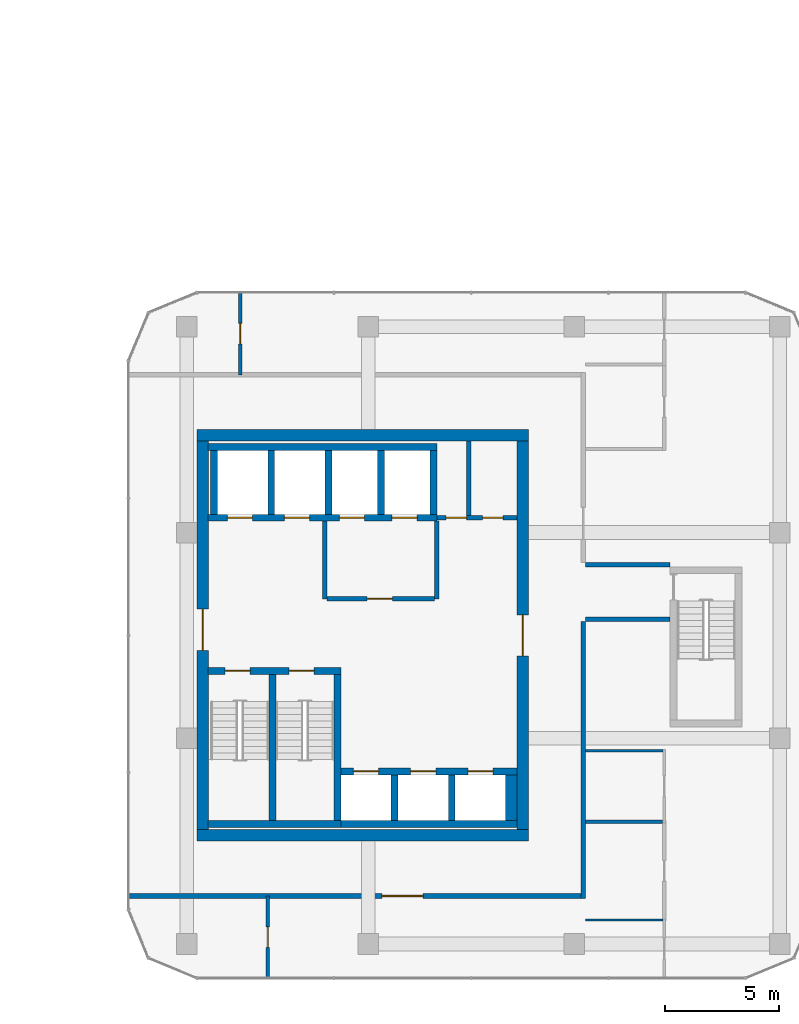
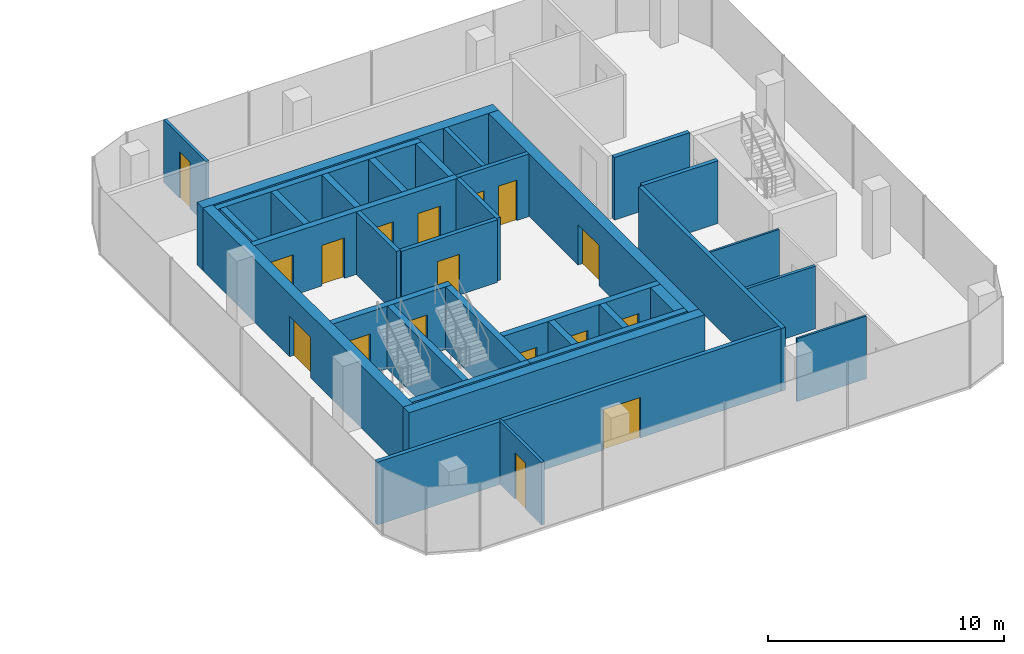
# One storey, part 18 of 23: 34 walls, 17 doors, 17 openings.
"""IFC4 building model written with IfcOpenShell, lengths in metres."""

from ifc_helpers import new_model, si_unit, direction, frame, frame_2d, origin, place, context, subcontext, project, spatial, rectangle, extrude, material, layer, layer_set, type_object, element, fill, save


model = new_model("IFC4")

# Units and contexts
model_context = context("Model", 3, precision=1e-05, world=origin(), true_north=direction((0.0, 1.0)))
body_context = subcontext(model_context, "Body", "Model", "MODEL_VIEW")
ifc_project = project(units=[si_unit("LENGTHUNIT", "METRE"), si_unit("AREAUNIT", "SQUARE_METRE"), si_unit("VOLUMEUNIT", "CUBIC_METRE"), si_unit("PLANEANGLEUNIT", "RADIAN"), si_unit("MASSUNIT", "GRAM", prefix="KILO")], contexts=[model_context])

# Site, building, storey
site_placement = place(None, origin())
site = spatial("IfcSite", under=ifc_project, at=site_placement, CompositionType="ELEMENT")
building_placement = place(site_placement, origin())
building = spatial("IfcBuilding", under=site, at=building_placement, Name="Plateau Cross Towers", CompositionType="ELEMENT")
storey_placement = place(building_placement, frame((0.0, 0.0, 40.800048828125)))
storey = spatial("IfcBuildingStorey", under=building, at=storey_placement, Name="L09", CompositionType="ELEMENT", Elevation=40.800048828125)

# Wall
ifc_material_1 = material(Name="Concrete block, plastered both sides", Category="concrete")
ifc_layer_1 = layer(ifc_material_1, 0.199951171875)
ifc_layer_set_1 = layer_set([ifc_layer_1], Name="Concrete block, plastered both sides")
wall_type_1 = type_object("IfcWallType", Name="Core partition 200", PredefinedType="PARTITIONING", material=ifc_layer_set_1)
wall_1_placement = place(storey_placement, frame((80.60009765625, 10.60009765625, 0.0), z_axis=(0.0, 0.0, 1.0), x_axis=(0.0, 1.0, 0.0)))
element("IfcWall", 1, at=wall_1_placement, inside=storey, type_object=wall_type_1, Name="Core partition", PredefinedType="PARTITIONING", context=body_context, shape_type="SweptSolid", body=[
    extrude(rectangle(XDim=3.39990234375, YDim=0.199951171875, at=frame_2d((1.699951171875, 0.0))), origin(), (0.0, 0.0, 1.0), 3.25),
])

# Wall, opening, door
wall_2_placement = place(storey_placement, frame((80.699951171875, 10.60009765625, 0.0), z_axis=(0.0, 0.0, 1.0), x_axis=(1.0, 0.0, 0.0)))
wall_2 = element("IfcWall", 2, at=wall_2_placement, inside=storey, type_object=wall_type_1, Name="Core partition", PredefinedType="PARTITIONING", context=body_context, shape_type="SweptSolid", body=[
    extrude(rectangle(XDim=4.699951171875, YDim=0.199951171875, at=frame_2d((2.35009765625, 0.0))), origin(), (0.0, 0.0, 1.0), 3.25),
])
opening_1_placement = place(wall_2_placement, frame((1.75, 0.0, 0.0)))
opening_1 = element("IfcOpeningElement", 3, at=opening_1_placement, cuts=wall_2, Name="Opening FFD", PredefinedType="OPENING", context=body_context, shape_type="SweptSolid", body=[
    extrude(rectangle(XDim=1.10009765625, YDim=2.10009765625, at=frame_2d((0.550048828125, 1.050048828125))), frame((0.0, 0.10986328125, 0.0), z_axis=(0.0, -1.0, 0.0), x_axis=(1.0, 0.0, 0.0)), (0.0, 0.0, 1.0), 0.219970703125),
])
ifc_material_2 = material(Name="Steel, fire-resisting leaf", Category="steel")
door_type_1 = type_object("IfcDoorType", Name="Firefighting lobby door 1100", OperationType="NOTDEFINED", PredefinedType="DOOR", material=ifc_material_2)
door_1_placement = place(opening_1_placement, origin())
door_1 = element("IfcDoor", 4, at=door_1_placement, inside=storey, type_object=door_type_1, Name="Firefighting lobby door FFD", OperationType="SINGLE_SWING_LEFT", OverallHeight=2.10009765625, OverallWidth=1.10009765625, PredefinedType="DOOR", context=body_context, shape_type="SweptSolid", body=[
    extrude(rectangle(XDim=1.10009765625, YDim=2.10009765625, at=frame_2d((0.550048828125, 1.050048828125))), frame((0.0, 0.02490234375, 0.0), z_axis=(0.0, -1.0, 0.0), x_axis=(1.0, 0.0, 0.0)), (0.0, 0.0, 1.0), 0.050048828125),
])
fill(opening_1, door_1)

# Wall
wall_3_placement = place(storey_placement, frame((85.5, 10.60009765625, 0.0), z_axis=(0.0, 0.0, 1.0), x_axis=(0.0, 1.0, 0.0)))
element("IfcWall", 5, at=wall_3_placement, inside=storey, type_object=wall_type_1, Name="Core partition", PredefinedType="PARTITIONING", context=body_context, shape_type="SweptSolid", body=[
    extrude(rectangle(XDim=3.39990234375, YDim=0.199951171875, at=frame_2d((1.699951171875, 0.0))), origin(), (0.0, 0.0, 1.0), 3.25),
])

# Wall, openings, doors
wall_4_placement = place(storey_placement, frame((85.5, 14.14990234375, 0.0), z_axis=(0.0, 0.0, 1.0), x_axis=(1.0, 0.0, 0.0)))
wall_4 = element("IfcWall", 6, at=wall_4_placement, inside=storey, type_object=wall_type_1, Name="Core partition", PredefinedType="PARTITIONING", context=body_context, shape_type="SweptSolid", body=[
    extrude(rectangle(XDim=3.5, YDim=0.199951171875, at=frame_2d((1.75, 0.0))), origin(), (0.0, 0.0, 1.0), 3.25),
])
opening_2_placement = place(wall_4_placement, frame((0.39990234375, 0.0, 0.0)))
opening_2 = element("IfcOpeningElement", 7, at=opening_2_placement, cuts=wall_4, Name="Opening RD2", PredefinedType="OPENING", context=body_context, shape_type="SweptSolid", body=[
    extrude(rectangle(XDim=0.89990234375, YDim=2.10009765625, at=frame_2d((0.449951171875, 1.050048828125))), frame((0.0, 0.10986328125, 0.0), z_axis=(0.0, -1.0, 0.0), x_axis=(1.0, 0.0, 0.0)), (0.0, 0.0, 1.0), 0.219970703125),
])
opening_3_placement = place(wall_4_placement, frame((2.0, 0.0, 0.0)))
opening_3 = element("IfcOpeningElement", 8, at=opening_3_placement, cuts=wall_4, Name="Opening RD2", PredefinedType="OPENING", context=body_context, shape_type="SweptSolid", body=[
    extrude(rectangle(XDim=0.89990234375, YDim=2.10009765625, at=frame_2d((0.449951171875, 1.050048828125))), frame((0.0, 0.10986328125, 0.0), z_axis=(0.0, -1.0, 0.0), x_axis=(1.0, 0.0, 0.0)), (0.0, 0.0, 1.0), 0.219970703125),
])
door_type_2 = type_object("IfcDoorType", Name="Core riser door 900", OperationType="NOTDEFINED", PredefinedType="DOOR", material=ifc_material_2)
door_2_placement = place(opening_2_placement, origin())
door_2 = element("IfcDoor", 9, at=door_2_placement, inside=storey, type_object=door_type_2, Name="Core riser door RD2", OperationType="SINGLE_SWING_LEFT", OverallHeight=2.10009765625, OverallWidth=0.89990234375, PredefinedType="DOOR", context=body_context, shape_type="SweptSolid", body=[
    extrude(rectangle(XDim=0.89990234375, YDim=2.10009765625, at=frame_2d((0.449951171875, 1.050048828125))), frame((0.0, 0.02490234375, 0.0), z_axis=(0.0, -1.0, 0.0), x_axis=(1.0, 0.0, 0.0)), (0.0, 0.0, 1.0), 0.050048828125),
])
fill(opening_2, door_2)
door_3_placement = place(opening_3_placement, origin())
door_3 = element("IfcDoor", 10, at=door_3_placement, inside=storey, type_object=door_type_2, Name="Core riser door RD2", OperationType="SINGLE_SWING_LEFT", OverallHeight=2.10009765625, OverallWidth=0.89990234375, PredefinedType="DOOR", context=body_context, shape_type="SweptSolid", body=[
    extrude(rectangle(XDim=0.89990234375, YDim=2.10009765625, at=frame_2d((0.449951171875, 1.050048828125))), frame((0.0, 0.02490234375, 0.0), z_axis=(0.0, -1.0, 0.0), x_axis=(1.0, 0.0, 0.0)), (0.0, 0.0, 1.0), 0.050048828125),
])
fill(opening_3, door_3)

# Walls
wall_5_placement = place(storey_placement, frame((86.89990234375, 14.25, 0.0), z_axis=(0.0, 0.0, 1.0), x_axis=(0.0, 1.0, 0.0)))
element("IfcWall", 11, at=wall_5_placement, inside=storey, type_object=wall_type_1, Name="Core partition", PredefinedType="PARTITIONING", context=body_context, shape_type="SweptSolid", body=[
    extrude(rectangle(XDim=3.25, YDim=0.199951171875, at=frame_2d((1.625, 0.0))), origin(), (0.0, 0.0, 1.0), 3.25),
])
ifc_material_3 = material(Name="Concrete C60/75", Category="concrete")
ifc_layer_2 = layer(ifc_material_3, 0.300048828125)
ifc_layer_set_2 = layer_set([ifc_layer_2], Name="Concrete C60/75")
wall_type_2 = type_object("IfcWallType", Name="Core shaft wall 300", PredefinedType="SHEAR", material=ifc_layer_set_2)
wall_6_placement = place(storey_placement, frame((75.47998046875, 0.75, 0.0), z_axis=(0.0, 0.0, 1.0), x_axis=(1.0, 0.0, 0.0)))
element("IfcWall", 12, at=wall_6_placement, inside=storey, type_object=wall_type_2, Name="B-sb-stS@L09", PredefinedType="SHEAR", context=body_context, shape_type="SweptSolid", body=[
    extrude(rectangle(XDim=5.820068359375, YDim=0.300048828125, at=frame_2d((2.91015625, 0.0))), origin(), (0.0, 0.0, 1.0), 3.25),
])

# Wall, openings, doors
wall_7_placement = place(storey_placement, frame((75.47998046875, 7.449951171875, 0.0), z_axis=(0.0, 0.0, 1.0), x_axis=(1.0, 0.0, 0.0)))
wall_7 = element("IfcWall", 13, at=wall_7_placement, inside=storey, type_object=wall_type_2, Name="B-sb-stN@L09", PredefinedType="SHEAR", context=body_context, shape_type="SweptSolid", body=[
    extrude(rectangle(XDim=5.820068359375, YDim=0.300048828125, at=frame_2d((2.91015625, 0.0))), origin(), (0.0, 0.0, 1.0), 3.25),
])
opening_4_placement = place(wall_7_placement, frame((0.75, 0.0, 0.0)))
opening_4 = element("IfcOpeningElement", 14, at=opening_4_placement, cuts=wall_7, Name="Opening SD", PredefinedType="OPENING", context=body_context, shape_type="SweptSolid", body=[
    extrude(rectangle(XDim=1.10009765625, YDim=2.10009765625, at=frame_2d((0.550048828125, 1.050048828125))), frame((0.0, 0.159912109375, 0.0), z_axis=(0.0, -1.0, 0.0), x_axis=(1.0, 0.0, 0.0)), (0.0, 0.0, 1.0), 0.320068359375),
])
opening_5_placement = place(wall_7_placement, frame((3.550048828125, 0.0, 0.0)))
opening_5 = element("IfcOpeningElement", 15, at=opening_5_placement, cuts=wall_7, Name="Opening SD", PredefinedType="OPENING", context=body_context, shape_type="SweptSolid", body=[
    extrude(rectangle(XDim=1.10009765625, YDim=2.10009765625, at=frame_2d((0.550048828125, 1.050048828125))), frame((0.0, 0.159912109375, 0.0), z_axis=(0.0, -1.0, 0.0), x_axis=(1.0, 0.0, 0.0)), (0.0, 0.0, 1.0), 0.320068359375),
])
door_type_3 = type_object("IfcDoorType", Name="Stair door 1100", OperationType="NOTDEFINED", PredefinedType="DOOR", material=ifc_material_2)
door_4_placement = place(opening_4_placement, origin())
door_4 = element("IfcDoor", 16, at=door_4_placement, inside=storey, type_object=door_type_3, Name="Stair door SD", OperationType="SINGLE_SWING_RIGHT", OverallHeight=2.10009765625, OverallWidth=1.10009765625, PredefinedType="DOOR", context=body_context, shape_type="SweptSolid", body=[
    extrude(rectangle(XDim=1.10009765625, YDim=2.10009765625, at=frame_2d((0.550048828125, 1.050048828125))), frame((0.0, 0.02490234375, 0.0), z_axis=(0.0, -1.0, 0.0), x_axis=(1.0, 0.0, 0.0)), (0.0, 0.0, 1.0), 0.050048828125),
])
fill(opening_4, door_4)
door_5_placement = place(opening_5_placement, origin())
door_5 = element("IfcDoor", 17, at=door_5_placement, inside=storey, type_object=door_type_3, Name="Stair door SD", OperationType="SINGLE_SWING_LEFT", OverallHeight=2.10009765625, OverallWidth=1.10009765625, PredefinedType="DOOR", context=body_context, shape_type="SweptSolid", body=[
    extrude(rectangle(XDim=1.10009765625, YDim=2.10009765625, at=frame_2d((0.550048828125, 1.050048828125))), frame((0.0, 0.02490234375, 0.0), z_axis=(0.0, -1.0, 0.0), x_axis=(1.0, 0.0, 0.0)), (0.0, 0.0, 1.0), 0.050048828125),
])
fill(opening_5, door_5)

# Walls
for number, where, z_axis, x_axis, name in (
    (18, (78.300048828125, 0.89990234375, 0.0), (0.0, 0.0, 1.0), (0.0, 1.0, 0.0), "B-sb-st1@L09"),
    (19, (81.14990234375, 0.89990234375, 0.0), (0.0, 0.0, 1.0), (0.0, 1.0, 0.0), "B-sb-st2@L09"),
):
    element("IfcWall", number, at=place(storey_placement, frame(where, z_axis=z_axis, x_axis=x_axis)), inside=storey, type_object=wall_type_2, Name=name, PredefinedType="SHEAR", context=body_context, shape_type="SweptSolid", body=[
        extrude(rectangle(XDim=6.400146484375, YDim=0.300048828125, at=frame_2d((3.2001953125, 0.0))), origin(), (0.0, 0.0, 1.0), 3.25),
    ])
wall_8_placement = place(storey_placement, frame((81.300048828125, 0.75, 0.0), z_axis=(0.0, 0.0, 1.0), x_axis=(1.0, 0.0, 0.0)))
element("IfcWall", 20, at=wall_8_placement, inside=storey, type_object=wall_type_2, Name="B-sb-back@L09", PredefinedType="SHEAR", context=body_context, shape_type="SweptSolid", body=[
    extrude(rectangle(XDim=7.699951171875, YDim=0.300048828125, at=frame_2d((3.85009765625, 0.0))), origin(), (0.0, 0.0, 1.0), 3.25),
])
for number, where, z_axis, x_axis, name in (
    (21, (83.64990234375, 0.89990234375, 0.0), (0.0, 0.0, 1.0), (0.0, 1.0, 0.0), "B-sb-v1@L09"),
    (22, (86.14990234375, 0.89990234375, 0.0), (0.0, 0.0, 1.0), (0.0, 1.0, 0.0), "B-sb-v2@L09"),
):
    element("IfcWall", number, at=place(storey_placement, frame(where, z_axis=z_axis, x_axis=x_axis)), inside=storey, type_object=wall_type_2, Name=name, PredefinedType="SHEAR", context=body_context, shape_type="SweptSolid", body=[
        extrude(rectangle(XDim=2.0, YDim=0.300048828125, at=frame_2d((1.0, 0.0))), origin(), (0.0, 0.0, 1.0), 3.25),
    ])

# Wall, openings, doors
wall_9_placement = place(storey_placement, frame((81.300048828125, 3.050048828125, 0.0), z_axis=(0.0, 0.0, 1.0), x_axis=(1.0, 0.0, 0.0)))
wall_9 = element("IfcWall", 23, at=wall_9_placement, inside=storey, type_object=wall_type_2, Name="B-sb-front@L09", PredefinedType="SHEAR", context=body_context, shape_type="SweptSolid", body=[
    extrude(rectangle(XDim=7.699951171875, YDim=0.300048828125, at=frame_2d((3.85009765625, 0.0))), origin(), (0.0, 0.0, 1.0), 3.25),
])
opening_6_placement = place(wall_9_placement, frame((0.550048828125, 0.0, 0.0)))
opening_6 = element("IfcOpeningElement", 24, at=opening_6_placement, cuts=wall_9, Name="Opening LD", PredefinedType="OPENING", context=body_context, shape_type="SweptSolid", body=[
    extrude(rectangle(XDim=1.10009765625, YDim=2.10009765625, at=frame_2d((0.550048828125, 1.050048828125))), frame((0.0, 0.159912109375, 0.0), z_axis=(0.0, -1.0, 0.0), x_axis=(1.0, 0.0, 0.0)), (0.0, 0.0, 1.0), 0.320068359375),
])
opening_7_placement = place(wall_9_placement, frame((3.050048828125, 0.0, 0.0)))
opening_7 = element("IfcOpeningElement", 25, at=opening_7_placement, cuts=wall_9, Name="Opening LD", PredefinedType="OPENING", context=body_context, shape_type="SweptSolid", body=[
    extrude(rectangle(XDim=1.10009765625, YDim=2.10009765625, at=frame_2d((0.550048828125, 1.050048828125))), frame((0.0, 0.159912109375, 0.0), z_axis=(0.0, -1.0, 0.0), x_axis=(1.0, 0.0, 0.0)), (0.0, 0.0, 1.0), 0.320068359375),
])
opening_8_placement = place(wall_9_placement, frame((5.550048828125, 0.0, 0.0)))
opening_8 = element("IfcOpeningElement", 26, at=opening_8_placement, cuts=wall_9, Name="Opening LD", PredefinedType="OPENING", context=body_context, shape_type="SweptSolid", body=[
    extrude(rectangle(XDim=1.10009765625, YDim=2.10009765625, at=frame_2d((0.550048828125, 1.050048828125))), frame((0.0, 0.159912109375, 0.0), z_axis=(0.0, -1.0, 0.0), x_axis=(1.0, 0.0, 0.0)), (0.0, 0.0, 1.0), 0.320068359375),
])
ifc_material_4 = material(Name="Stainless steel, fire-resisting sliding leaves", Category="steel")
door_type_4 = type_object("IfcDoorType", Name="Lift landing door 1100", OperationType="NOTDEFINED", PredefinedType="DOOR", material=ifc_material_4)
door_6_placement = place(opening_6_placement, origin())
door_6 = element("IfcDoor", 27, at=door_6_placement, inside=storey, type_object=door_type_4, Name="Lift landing door LD", OperationType="DOUBLE_DOOR_SLIDING", OverallHeight=2.10009765625, OverallWidth=1.10009765625, PredefinedType="DOOR", context=body_context, shape_type="SweptSolid", body=[
    extrude(rectangle(XDim=1.10009765625, YDim=2.10009765625, at=frame_2d((0.550048828125, 1.050048828125))), frame((0.0, 0.02490234375, 0.0), z_axis=(0.0, -1.0, 0.0), x_axis=(1.0, 0.0, 0.0)), (0.0, 0.0, 1.0), 0.050048828125),
])
fill(opening_6, door_6)
door_7_placement = place(opening_7_placement, origin())
door_7 = element("IfcDoor", 28, at=door_7_placement, inside=storey, type_object=door_type_4, Name="Lift landing door LD", OperationType="DOUBLE_DOOR_SLIDING", OverallHeight=2.10009765625, OverallWidth=1.10009765625, PredefinedType="DOOR", context=body_context, shape_type="SweptSolid", body=[
    extrude(rectangle(XDim=1.10009765625, YDim=2.10009765625, at=frame_2d((0.550048828125, 1.050048828125))), frame((0.0, 0.02490234375, 0.0), z_axis=(0.0, -1.0, 0.0), x_axis=(1.0, 0.0, 0.0)), (0.0, 0.0, 1.0), 0.050048828125),
])
fill(opening_7, door_7)
door_8_placement = place(opening_8_placement, origin())
door_8 = element("IfcDoor", 29, at=door_8_placement, inside=storey, type_object=door_type_4, Name="Lift landing door LD", OperationType="DOUBLE_DOOR_SLIDING", OverallHeight=2.10009765625, OverallWidth=1.10009765625, PredefinedType="DOOR", context=body_context, shape_type="SweptSolid", body=[
    extrude(rectangle(XDim=1.10009765625, YDim=2.10009765625, at=frame_2d((0.550048828125, 1.050048828125))), frame((0.0, 0.02490234375, 0.0), z_axis=(0.0, -1.0, 0.0), x_axis=(1.0, 0.0, 0.0)), (0.0, 0.0, 1.0), 0.050048828125),
])
fill(opening_8, door_8)

# Wall
wall_10_placement = place(storey_placement, frame((75.47998046875, 17.25, 0.0), z_axis=(0.0, 0.0, 1.0), x_axis=(1.0, 0.0, 0.0)))
element("IfcWall", 30, at=wall_10_placement, inside=storey, type_object=wall_type_2, Name="B-nb-back@L09", PredefinedType="SHEAR", context=body_context, shape_type="SweptSolid", body=[
    extrude(rectangle(XDim=10.02001953125, YDim=0.300048828125, at=frame_2d((5.010009765625, 0.0))), origin(), (0.0, 0.0, 1.0), 3.25),
])

# Wall, openings, doors
wall_11_placement = place(storey_placement, frame((75.47998046875, 14.14990234375, 0.0), z_axis=(0.0, 0.0, 1.0), x_axis=(1.0, 0.0, 0.0)))
wall_11 = element("IfcWall", 31, at=wall_11_placement, inside=storey, type_object=wall_type_2, Name="B-nb-front@L09", PredefinedType="SHEAR", context=body_context, shape_type="SweptSolid", body=[
    extrude(rectangle(XDim=10.02001953125, YDim=0.300048828125, at=frame_2d((5.010009765625, 0.0))), origin(), (0.0, 0.0, 1.0), 3.25),
])
opening_9_placement = place(wall_11_placement, frame((0.85009765625, 0.0, 0.0)))
opening_9 = element("IfcOpeningElement", 32, at=opening_9_placement, cuts=wall_11, Name="Opening LD", PredefinedType="OPENING", context=body_context, shape_type="SweptSolid", body=[
    extrude(rectangle(XDim=1.10009765625, YDim=2.10009765625, at=frame_2d((0.550048828125, 1.050048828125))), frame((0.0, 0.159912109375, 0.0), z_axis=(0.0, -1.0, 0.0), x_axis=(1.0, 0.0, 0.0)), (0.0, 0.0, 1.0), 0.320068359375),
])
opening_10_placement = place(wall_11_placement, frame((3.35009765625, 0.0, 0.0)))
opening_10 = element("IfcOpeningElement", 33, at=opening_10_placement, cuts=wall_11, Name="Opening LD", PredefinedType="OPENING", context=body_context, shape_type="SweptSolid", body=[
    extrude(rectangle(XDim=1.10009765625, YDim=2.10009765625, at=frame_2d((0.550048828125, 1.050048828125))), frame((0.0, 0.159912109375, 0.0), z_axis=(0.0, -1.0, 0.0), x_axis=(1.0, 0.0, 0.0)), (0.0, 0.0, 1.0), 0.320068359375),
])
opening_11_placement = place(wall_11_placement, frame((5.75, 0.0, 0.0)))
opening_11 = element("IfcOpeningElement", 34, at=opening_11_placement, cuts=wall_11, Name="Opening LD", PredefinedType="OPENING", context=body_context, shape_type="SweptSolid", body=[
    extrude(rectangle(XDim=1.10009765625, YDim=2.10009765625, at=frame_2d((0.550048828125, 1.050048828125))), frame((0.0, 0.159912109375, 0.0), z_axis=(0.0, -1.0, 0.0), x_axis=(1.0, 0.0, 0.0)), (0.0, 0.0, 1.0), 0.320068359375),
])
opening_12_placement = place(wall_11_placement, frame((8.050048828125, 0.0, 0.0)))
opening_12 = element("IfcOpeningElement", 35, at=opening_12_placement, cuts=wall_11, Name="Opening LD", PredefinedType="OPENING", context=body_context, shape_type="SweptSolid", body=[
    extrude(rectangle(XDim=1.10009765625, YDim=2.10009765625, at=frame_2d((0.550048828125, 1.050048828125))), frame((0.0, 0.159912109375, 0.0), z_axis=(0.0, -1.0, 0.0), x_axis=(1.0, 0.0, 0.0)), (0.0, 0.0, 1.0), 0.320068359375),
])
door_9_placement = place(opening_9_placement, origin())
door_9 = element("IfcDoor", 36, at=door_9_placement, inside=storey, type_object=door_type_4, Name="Lift landing door LD", OperationType="DOUBLE_DOOR_SLIDING", OverallHeight=2.10009765625, OverallWidth=1.10009765625, PredefinedType="DOOR", context=body_context, shape_type="SweptSolid", body=[
    extrude(rectangle(XDim=1.10009765625, YDim=2.10009765625, at=frame_2d((0.550048828125, 1.050048828125))), frame((0.0, 0.02490234375, 0.0), z_axis=(0.0, -1.0, 0.0), x_axis=(1.0, 0.0, 0.0)), (0.0, 0.0, 1.0), 0.050048828125),
])
fill(opening_9, door_9)
door_10_placement = place(opening_10_placement, origin())
door_10 = element("IfcDoor", 37, at=door_10_placement, inside=storey, type_object=door_type_4, Name="Lift landing door LD", OperationType="DOUBLE_DOOR_SLIDING", OverallHeight=2.10009765625, OverallWidth=1.10009765625, PredefinedType="DOOR", context=body_context, shape_type="SweptSolid", body=[
    extrude(rectangle(XDim=1.10009765625, YDim=2.10009765625, at=frame_2d((0.550048828125, 1.050048828125))), frame((0.0, 0.02490234375, 0.0), z_axis=(0.0, -1.0, 0.0), x_axis=(1.0, 0.0, 0.0)), (0.0, 0.0, 1.0), 0.050048828125),
])
fill(opening_10, door_10)
door_11_placement = place(opening_11_placement, origin())
door_11 = element("IfcDoor", 38, at=door_11_placement, inside=storey, type_object=door_type_4, Name="Lift landing door LD", OperationType="DOUBLE_DOOR_SLIDING", OverallHeight=2.10009765625, OverallWidth=1.10009765625, PredefinedType="DOOR", context=body_context, shape_type="SweptSolid", body=[
    extrude(rectangle(XDim=1.10009765625, YDim=2.10009765625, at=frame_2d((0.550048828125, 1.050048828125))), frame((0.0, 0.02490234375, 0.0), z_axis=(0.0, -1.0, 0.0), x_axis=(1.0, 0.0, 0.0)), (0.0, 0.0, 1.0), 0.050048828125),
])
fill(opening_11, door_11)
door_12_placement = place(opening_12_placement, origin())
door_12 = element("IfcDoor", 39, at=door_12_placement, inside=storey, type_object=door_type_4, Name="Lift landing door LD", OperationType="DOUBLE_DOOR_SLIDING", OverallHeight=2.10009765625, OverallWidth=1.10009765625, PredefinedType="DOOR", context=body_context, shape_type="SweptSolid", body=[
    extrude(rectangle(XDim=1.10009765625, YDim=2.10009765625, at=frame_2d((0.550048828125, 1.050048828125))), frame((0.0, 0.02490234375, 0.0), z_axis=(0.0, -1.0, 0.0), x_axis=(1.0, 0.0, 0.0)), (0.0, 0.0, 1.0), 0.050048828125),
])
fill(opening_12, door_12)

# Walls
for number, where, z_axis, x_axis, name in (
    (40, (75.75, 14.300048828125, 0.0), (0.0, 0.0, 1.0), (0.0, 1.0, 0.0), "B-nb-v0@L09"),
    (41, (78.25, 14.300048828125, 0.0), (0.0, 0.0, 1.0), (0.0, 1.0, 0.0), "B-nb-v1@L09"),
    (42, (80.75, 14.300048828125, 0.0), (0.0, 0.0, 1.0), (0.0, 1.0, 0.0), "B-nb-v2@L09"),
    (43, (83.050048828125, 14.300048828125, 0.0), (0.0, 0.0, 1.0), (0.0, 1.0, 0.0), "B-nb-v3@L09"),
    (44, (85.35009765625, 14.300048828125, 0.0), (0.0, 0.0, 1.0), (0.0, 1.0, 0.0), "B-nb-v4@L09"),
):
    element("IfcWall", number, at=place(storey_placement, frame(where, z_axis=z_axis, x_axis=x_axis)), inside=storey, type_object=wall_type_2, Name=name, PredefinedType="SHEAR", context=body_context, shape_type="SweptSolid", body=[
        extrude(rectangle(XDim=2.800048828125, YDim=0.300048828125, at=frame_2d((1.39990234375, 0.0))), origin(), (0.0, 0.0, 1.0), 3.25),
    ])
ifc_layer_3 = layer(ifc_material_3, 0.5)
ifc_layer_set_3 = layer_set([ifc_layer_3], Name="Concrete C60/75")
wall_type_3 = type_object("IfcWallType", Name="Core shaft wall 500", PredefinedType="SHEAR", material=ifc_layer_set_3)
wall_12_placement = place(storey_placement, frame((88.75, 0.89990234375, 0.0), z_axis=(0.0, 0.0, 1.0), x_axis=(0.0, 1.0, 0.0)))
element("IfcWall", 45, at=wall_12_placement, inside=storey, type_object=wall_type_3, Name="B-sb-v3@L09", PredefinedType="SHEAR", context=body_context, shape_type="SweptSolid", body=[
    extrude(rectangle(XDim=2.0, YDim=0.5, at=frame_2d((1.0, 0.0))), origin(), (0.0, 0.0, 1.0), 3.25),
])
ifc_layer_4 = layer(ifc_material_3, 0.5)
ifc_layer_set_4 = layer_set([ifc_layer_4], Name="Concrete C60/75")
wall_type_4 = type_object("IfcWallType", Name="Core shell wall 500", PredefinedType="SHEAR", material=ifc_layer_set_4)
for number, where, z_axis, x_axis, name in (
    (46, (75.0, 0.25, 0.0), (0.0, 0.0, 1.0), (1.0, 0.0, 0.0), "B-core-S@L09"),
    (47, (75.0, 17.75, 0.0), (0.0, 0.0, 1.0), (1.0, 0.0, 0.0), "B-core-N@L09"),
):
    element("IfcWall", number, at=place(storey_placement, frame(where, z_axis=z_axis, x_axis=x_axis)), inside=storey, type_object=wall_type_4, Name=name, PredefinedType="SHEAR", context=body_context, shape_type="SweptSolid", body=[
        extrude(rectangle(XDim=14.5, YDim=0.5, at=frame_2d((7.25, 0.0))), origin(), (0.0, 0.0, 1.0), 3.25),
    ])

# Wall, opening, door
wall_13_placement = place(storey_placement, frame((75.25, 0.5, 0.0), z_axis=(0.0, 0.0, 1.0), x_axis=(0.0, 1.0, 0.0)))
wall_13 = element("IfcWall", 48, at=wall_13_placement, inside=storey, type_object=wall_type_4, Name="B-core-W@L09", PredefinedType="SHEAR", context=body_context, shape_type="SweptSolid", body=[
    extrude(rectangle(XDim=17.0, YDim=0.5, at=frame_2d((8.5, 0.0))), origin(), (0.0, 0.0, 1.0), 3.25),
])
opening_13_placement = place(wall_13_placement, frame((7.85009765625, 0.0, 0.0)))
opening_13 = element("IfcOpeningElement", 49, at=opening_13_placement, cuts=wall_13, Name="Opening CD", PredefinedType="OPENING", context=body_context, shape_type="SweptSolid", body=[
    extrude(rectangle(XDim=1.800048828125, YDim=2.10009765625, at=frame_2d((0.89990234375, 1.050048828125))), frame((0.0, 0.260009765625, 0.0), z_axis=(0.0, -1.0, 0.0), x_axis=(1.0, 0.0, 0.0)), (0.0, 0.0, 1.0), 0.52001953125),
])
ifc_material_5 = material(Name="Steel, fire-resisting leaves", Category="steel")
door_type_5 = type_object("IfcDoorType", Name="Corridor door pair 1800", OperationType="NOTDEFINED", PredefinedType="DOOR", material=ifc_material_5)
door_13_placement = place(opening_13_placement, origin())
door_13 = element("IfcDoor", 50, at=door_13_placement, inside=storey, type_object=door_type_5, Name="Corridor door pair CD", OperationType="DOUBLE_DOOR_SINGLE_SWING", OverallHeight=2.10009765625, OverallWidth=1.800048828125, PredefinedType="DOOR", context=body_context, shape_type="SweptSolid", body=[
    extrude(rectangle(XDim=1.800048828125, YDim=2.10009765625, at=frame_2d((0.89990234375, 1.050048828125))), frame((0.0, 0.02490234375, 0.0), z_axis=(0.0, -1.0, 0.0), x_axis=(1.0, 0.0, 0.0)), (0.0, 0.0, 1.0), 0.050048828125),
])
fill(opening_13, door_13)

wall_14_placement = place(storey_placement, frame((89.25, 0.5, 0.0), z_axis=(0.0, 0.0, 1.0), x_axis=(0.0, 1.0, 0.0)))
wall_14 = element("IfcWall", 51, at=wall_14_placement, inside=storey, type_object=wall_type_4, Name="B-core-E@L09", PredefinedType="SHEAR", context=body_context, shape_type="SweptSolid", body=[
    extrude(rectangle(XDim=17.0, YDim=0.5, at=frame_2d((8.5, 0.0))), origin(), (0.0, 0.0, 1.0), 3.25),
])
opening_14_placement = place(wall_14_placement, frame((7.60009765625, 0.0, 0.0)))
opening_14 = element("IfcOpeningElement", 52, at=opening_14_placement, cuts=wall_14, Name="Opening CD", PredefinedType="OPENING", context=body_context, shape_type="SweptSolid", body=[
    extrude(rectangle(XDim=1.800048828125, YDim=2.10009765625, at=frame_2d((0.89990234375, 1.050048828125))), frame((0.0, 0.260009765625, 0.0), z_axis=(0.0, -1.0, 0.0), x_axis=(1.0, 0.0, 0.0)), (0.0, 0.0, 1.0), 0.52001953125),
])
door_14_placement = place(opening_14_placement, origin())
door_14 = element("IfcDoor", 53, at=door_14_placement, inside=storey, type_object=door_type_5, Name="Corridor door pair CD", OperationType="DOUBLE_DOOR_SINGLE_SWING", OverallHeight=2.10009765625, OverallWidth=1.800048828125, PredefinedType="DOOR", context=body_context, shape_type="SweptSolid", body=[
    extrude(rectangle(XDim=1.800048828125, YDim=2.10009765625, at=frame_2d((0.89990234375, 1.050048828125))), frame((0.0, 0.02490234375, 0.0), z_axis=(0.0, -1.0, 0.0), x_axis=(1.0, 0.0, 0.0)), (0.0, 0.0, 1.0), 0.050048828125),
])
fill(opening_14, door_14)

ifc_material_6 = material(Name="Gypsum board on steel studs, two layers each side", Category="steel")
ifc_layer_5 = layer(ifc_material_6, 0.199951171875)
ifc_layer_set_5 = layer_set([ifc_layer_5], Name="Gypsum board on steel studs, two layers each side")
wall_type_5 = type_object("IfcWallType", Name="Corridor wall 200", PredefinedType="PARTITIONING", material=ifc_layer_set_5)
wall_15_placement = place(storey_placement, frame((72.0, -2.39990234375, 0.0), z_axis=(0.0, 0.0, 1.0), x_axis=(1.0, 0.0, 0.0)))
wall_15 = element("IfcWall", 54, at=wall_15_placement, inside=storey, type_object=wall_type_5, Name="Ring wall", PredefinedType="PARTITIONING", context=body_context, shape_type="SweptSolid", body=[
    extrude(rectangle(XDim=20.0, YDim=0.199951171875, at=frame_2d((10.0, 0.0))), origin(), (0.0, 0.0, 1.0), 3.25),
])
opening_15_placement = place(wall_15_placement, frame((11.10009765625, 0.0, 0.0)))
opening_15 = element("IfcOpeningElement", 55, at=opening_15_placement, cuts=wall_15, Name="Opening D-BE18", PredefinedType="OPENING", context=body_context, shape_type="SweptSolid", body=[
    extrude(rectangle(XDim=1.800048828125, YDim=2.10009765625, at=frame_2d((0.89990234375, 1.050048828125))), frame((0.0, 0.10986328125, 0.0), z_axis=(0.0, -1.0, 0.0), x_axis=(1.0, 0.0, 0.0)), (0.0, 0.0, 1.0), 0.219970703125),
])
ifc_material_7 = material(Name="Timber, fire-resisting leaves", Category="wood")
door_type_6 = type_object("IfcDoorType", Name="Tenant entrance door pair 1800", OperationType="NOTDEFINED", PredefinedType="DOOR", material=ifc_material_7)
door_15_placement = place(opening_15_placement, origin())
door_15 = element("IfcDoor", 56, at=door_15_placement, inside=storey, type_object=door_type_6, Name="Door D-BE18", OperationType="DOUBLE_DOOR_SINGLE_SWING", OverallHeight=2.10009765625, OverallWidth=1.800048828125, PredefinedType="DOOR", context=body_context, shape_type="SweptSolid", body=[
    extrude(rectangle(XDim=1.800048828125, YDim=2.10009765625, at=frame_2d((0.89990234375, 1.050048828125))), frame((0.0, 0.02490234375, 0.0), z_axis=(0.0, -1.0, 0.0), x_axis=(1.0, 0.0, 0.0)), (0.0, 0.0, 1.0), 0.050048828125),
])
fill(opening_15, door_15)

# Walls
wall_16_placement = place(storey_placement, frame((91.89990234375, -2.5, 0.0), z_axis=(0.0, 0.0, 1.0), x_axis=(0.0, 1.0, 0.0)))
element("IfcWall", 57, at=wall_16_placement, inside=storey, type_object=wall_type_5, Name="Ring wall", PredefinedType="PARTITIONING", context=body_context, shape_type="SweptSolid", body=[
    extrude(rectangle(XDim=12.10009765625, YDim=0.199951171875, at=frame_2d((6.050048828125, 0.0))), origin(), (0.0, 0.0, 1.0), 3.25),
])
for number, where, z_axis, x_axis, name in (
    (58, (92.0, 9.699951171875, 0.0), (0.0, 0.0, 1.0), (1.0, 0.0, 0.0), "Ring wall"),
    (59, (92.0, 12.10009765625, 0.0), (0.0, 0.0, 1.0), (1.0, 0.0, 0.0), "Ring wall"),
):
    element("IfcWall", number, at=place(storey_placement, frame(where, z_axis=z_axis, x_axis=x_axis)), inside=storey, type_object=wall_type_5, Name=name, PredefinedType="PARTITIONING", context=body_context, shape_type="SweptSolid", body=[
        extrude(rectangle(XDim=3.699951171875, YDim=0.199951171875, at=frame_2d((1.85009765625, 0.0))), origin(), (0.0, 0.0, 1.0), 3.25),
    ])

# Wall, opening, door
ifc_material_8 = material(Name="Gypsum board on staggered steel studs, mineral wool, two layers each side", Category="steel")
ifc_layer_6 = layer(ifc_material_8, 0.139892578125)
ifc_layer_set_6 = layer_set([ifc_layer_6], Name="Gypsum board on staggered steel studs, mineral wool, two layers each side")
wall_type_6 = type_object("IfcWallType", Name="Meeting room acoustic partition 140", PredefinedType="PARTITIONING", material=ifc_layer_set_6)
wall_17_placement = place(storey_placement, frame((78.10009765625, -6.0, 0.0), z_axis=(0.0, 0.0, 1.0), x_axis=(0.0, 1.0, 0.0)))
wall_17 = element("IfcWall", 60, at=wall_17_placement, inside=storey, type_object=wall_type_6, Name="Acoustic wall", PredefinedType="PARTITIONING", context=body_context, shape_type="SweptSolid", body=[
    extrude(rectangle(XDim=3.60009765625, YDim=0.139892578125, at=frame_2d((1.800048828125, 0.0))), origin(), (0.0, 0.0, 1.0), 3.25),
])
opening_16_placement = place(wall_17_placement, frame((1.35009765625, 0.0, 0.0)))
opening_16 = element("IfcOpeningElement", 61, at=opening_16_placement, cuts=wall_17, Name="Opening D-BM9", PredefinedType="OPENING", context=body_context, shape_type="SweptSolid", body=[
    extrude(rectangle(XDim=0.89990234375, YDim=2.39990234375, at=frame_2d((0.449951171875, 1.199951171875))), frame((0.0, 0.079833984375, 0.0), z_axis=(0.0, -1.0, 0.0), x_axis=(1.0, 0.0, 0.0)), (0.0, 0.0, 1.0), 0.159912109375),
])
ifc_material_9 = material(Name="Timber leaf, full height", Category="wood")
door_type_7 = type_object("IfcDoorType", Name="Meeting room door 900x2400", OperationType="NOTDEFINED", PredefinedType="DOOR", material=ifc_material_9)
door_16_placement = place(opening_16_placement, origin())
door_16 = element("IfcDoor", 62, at=door_16_placement, inside=storey, type_object=door_type_7, Name="Door D-BM9", OperationType="SINGLE_SWING_LEFT", OverallHeight=2.39990234375, OverallWidth=0.89990234375, PredefinedType="DOOR", context=body_context, shape_type="SweptSolid", body=[
    extrude(rectangle(XDim=0.89990234375, YDim=2.39990234375, at=frame_2d((0.449951171875, 1.199951171875))), frame((0.0, 0.02490234375, 0.0), z_axis=(0.0, -1.0, 0.0), x_axis=(1.0, 0.0, 0.0)), (0.0, 0.0, 1.0), 0.050048828125),
])
fill(opening_16, door_16)

# Wall
wall_18_placement = place(storey_placement, frame((92.0, 0.85009765625, 0.0), z_axis=(0.0, 0.0, 1.0), x_axis=(1.0, 0.0, 0.0)))
element("IfcWall", 63, at=wall_18_placement, inside=storey, type_object=wall_type_6, Name="Acoustic wall", PredefinedType="PARTITIONING", context=body_context, shape_type="SweptSolid", body=[
    extrude(rectangle(XDim=3.3798828125, YDim=0.139892578125, at=frame_2d((1.68994140625, 0.0))), origin(), (0.0, 0.0, 1.0), 3.25),
])

# Wall, opening, door
wall_19_placement = place(storey_placement, frame((76.89990234375, 20.39990234375, 0.0), z_axis=(0.0, 0.0, 1.0), x_axis=(0.0, 1.0, 0.0)))
wall_19 = element("IfcWall", 64, at=wall_19_placement, inside=storey, type_object=wall_type_6, Name="Acoustic wall", PredefinedType="PARTITIONING", context=body_context, shape_type="SweptSolid", body=[
    extrude(rectangle(XDim=3.60009765625, YDim=0.139892578125, at=frame_2d((1.800048828125, 0.0))), origin(), (0.0, 0.0, 1.0), 3.25),
])
opening_17_placement = place(wall_19_placement, frame((1.35009765625, 0.0, 0.0)))
opening_17 = element("IfcOpeningElement", 65, at=opening_17_placement, cuts=wall_19, Name="Opening D-BM9", PredefinedType="OPENING", context=body_context, shape_type="SweptSolid", body=[
    extrude(rectangle(XDim=0.89990234375, YDim=2.39990234375, at=frame_2d((0.449951171875, 1.199951171875))), frame((0.0, 0.079833984375, 0.0), z_axis=(0.0, -1.0, 0.0), x_axis=(1.0, 0.0, 0.0)), (0.0, 0.0, 1.0), 0.159912109375),
])
door_17_placement = place(opening_17_placement, origin())
door_17 = element("IfcDoor", 66, at=door_17_placement, inside=storey, type_object=door_type_7, Name="Door D-BM9", OperationType="SINGLE_SWING_LEFT", OverallHeight=2.39990234375, OverallWidth=0.89990234375, PredefinedType="DOOR", context=body_context, shape_type="SweptSolid", body=[
    extrude(rectangle(XDim=0.89990234375, YDim=2.39990234375, at=frame_2d((0.449951171875, 1.199951171875))), frame((0.0, 0.02490234375, 0.0), z_axis=(0.0, -1.0, 0.0), x_axis=(1.0, 0.0, 0.0)), (0.0, 0.0, 1.0), 0.050048828125),
])
fill(opening_17, door_17)

# Walls
ifc_material_10 = material(Name="Gypsum board on steel studs", Category="steel")
ifc_layer_7 = layer(ifc_material_10, 0.10009765625)
ifc_layer_set_7 = layer_set([ifc_layer_7], Name="Gypsum board on steel studs")
wall_type_7 = type_object("IfcWallType", Name="Office partition 100", PredefinedType="PARTITIONING", material=ifc_layer_set_7)
for number, where, z_axis, x_axis, name in (
    (67, (92.0, -3.449951171875, 0.0), (0.0, 0.0, 1.0), (1.0, 0.0, 0.0), "Part wall"),
    (68, (92.0, 3.949951171875, 0.0), (0.0, 0.0, 1.0), (1.0, 0.0, 0.0), "Part wall"),
):
    element("IfcWall", number, at=place(storey_placement, frame(where, z_axis=z_axis, x_axis=x_axis)), inside=storey, type_object=wall_type_7, Name=name, PredefinedType="PARTITIONING", context=body_context, shape_type="SweptSolid", body=[
        extrude(rectangle(XDim=3.39990234375, YDim=0.10009765625, at=frame_2d((1.699951171875, 0.0))), origin(), (0.0, 0.0, 1.0), 3.25),
    ])

save(model, "model.ifc")
